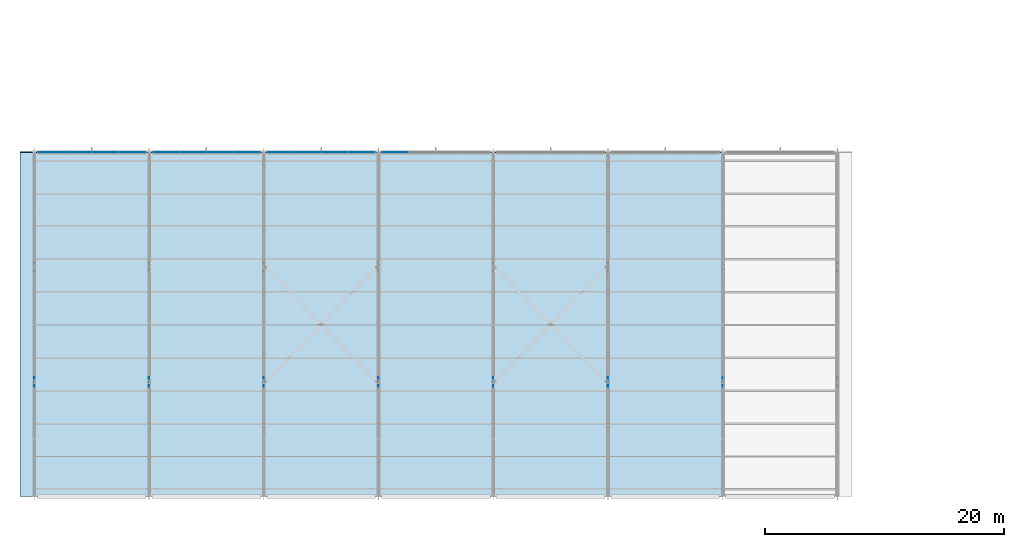
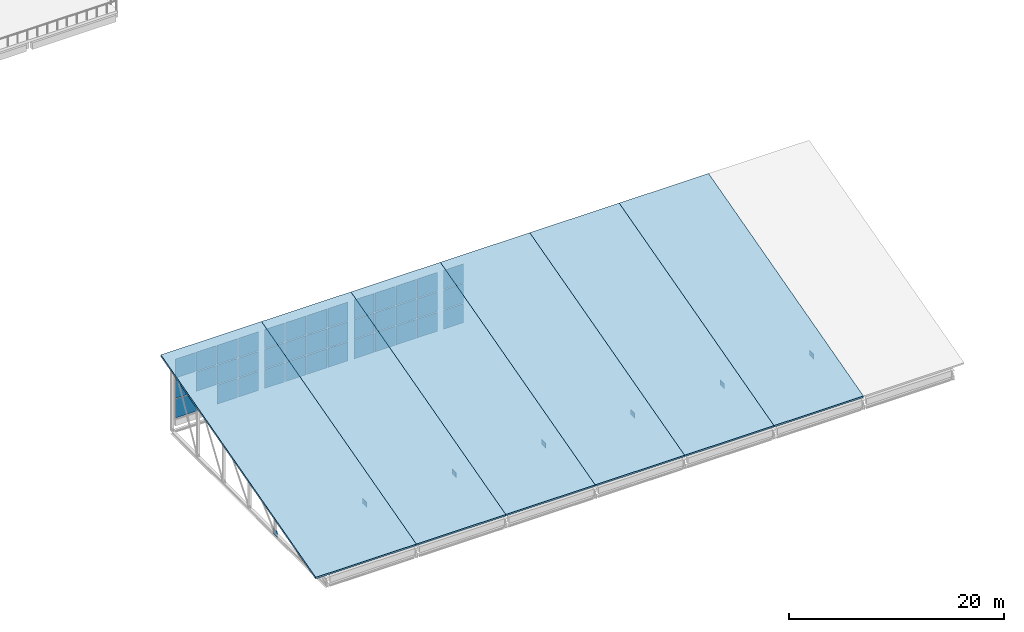
# One storey, part 27 of 57: 46 plates, 6 slabs, 4 elements without a shape of their own.
"""IFC4 building model written with IfcOpenShell, lengths in metres."""

import ifcopenshell
import ifcopenshell.guid

model = None  # the IFC model being written
_history = None  # IfcOwnerHistory: only IFC2X3 demands one
_inside = {}  # id of a spatial element -> (the spatial element, [elements in it])
_under = {}  # id of a project, library or spatial element -> (it, [spatial elements below it])
_declared = {}  # id of a project -> (the project, [libraries it declares])
_typed = {}  # id of a type object -> (the type object, [elements of that type])
_made_of = {}  # id of a material, layer set ... -> (it, [elements and type objects made of it])


def new_model(schema):
    """Start an empty IFC model of exactly this schema.

    Asked for "IFC4X3", IfcOpenShell would pick the latest addendum, in which some entities
    have other attributes; the version numbers below select the first issue.
    IFC2X3 requires an IfcOwnerHistory on every rooted entity: one is made here for all.
    """
    global model, _history
    if schema == "IFC4X3":
        model = ifcopenshell.file(schema_version=(4, 3, 0, 0))
    else:
        model = ifcopenshell.file(schema=schema)
    _inside.clear()
    _under.clear()
    _declared.clear()
    _typed.clear()
    _made_of.clear()
    _history = None
    if model.schema == "IFC2X3":
        org = make("IfcOrganization", Name="unknown")
        user = make(
            "IfcPersonAndOrganization",
            ThePerson=make("IfcPerson", FamilyName="unknown"),
            TheOrganization=org,
        )
        app = make(
            "IfcApplication",
            ApplicationDeveloper=org,
            Version="unknown",
            ApplicationFullName="unknown",
            ApplicationIdentifier="unknown",
        )
        _history = make(
            "IfcOwnerHistory",
            OwningUser=user,
            OwningApplication=app,
            ChangeAction="ADDED",
            CreationDate=0,
        )
    return model


def make(cls, **values):
    """One entity of the class cls with the attributes given. An attribute that is None is left unset."""
    return model.create_entity(
        cls, **{name: value for name, value in values.items() if value is not None}
    )


def rooted(cls, **values):
    """An entity with a GlobalId (a new one), such as an element, a storey or a relation."""
    return make(cls, GlobalId=ifcopenshell.guid.new(), OwnerHistory=_history, **values)


def si_unit(unit_type, name, prefix=None):
    """IfcSIUnit, for example si_unit("LENGTHUNIT", "METRE", prefix="MILLI")."""
    return make("IfcSIUnit", UnitType=unit_type, Prefix=prefix, Name=name)


def assignment(units):
    """IfcUnitAssignment: the units of a project."""
    return None if units is None else make("IfcUnitAssignment", Units=units)


def point(xyz):
    """IfcCartesianPoint."""
    return None if xyz is None else make("IfcCartesianPoint", Coordinates=xyz)


def direction(xyz):
    """IfcDirection."""
    return None if xyz is None else make("IfcDirection", DirectionRatios=xyz)


def frame(location, z_axis=None, x_axis=None):
    """IfcAxis2Placement3D, a coordinate frame: its origin and axes. An axis left out is left unset."""
    return make(
        "IfcAxis2Placement3D",
        Location=point(location),
        Axis=direction(z_axis),
        RefDirection=direction(x_axis),
    )


def frame_2d(location, x_axis=None):
    """IfcAxis2Placement2D, a coordinate frame in the plane: its origin and x axis."""
    return make(
        "IfcAxis2Placement2D", Location=point(location), RefDirection=direction(x_axis)
    )


def origin():
    """The frame at (0, 0, 0) with its axes left unset."""
    return frame((0.0, 0.0, 0.0))


def origin_2d():
    """The frame at (0, 0) in the plane with its x axis left unset."""
    return frame_2d((0.0, 0.0))


def place(relative_to, where):
    """IfcLocalPlacement: puts the frame where relative to a parent placement (None: the world)."""
    return make(
        "IfcLocalPlacement", PlacementRelTo=relative_to, RelativePlacement=where
    )


def context(
    kind, dimensions, precision=None, world=None, true_north=None, identifier=None
):
    """IfcGeometricRepresentationContext, for example the 3D "Model" context."""
    return make(
        "IfcGeometricRepresentationContext",
        ContextIdentifier=identifier,
        ContextType=kind,
        CoordinateSpaceDimension=dimensions,
        Precision=precision,
        WorldCoordinateSystem=world,
        TrueNorth=true_north,
    )


def subcontext(parent, identifier, kind, view, scale=None):
    """IfcGeometricRepresentationSubContext, for example "Body" below "Model"."""
    return make(
        "IfcGeometricRepresentationSubContext",
        ContextIdentifier=identifier,
        ContextType=kind,
        ParentContext=parent,
        TargetScale=scale,
        TargetView=view,
    )


def project(units=None, contexts=None):
    """IfcProject with its units and contexts."""
    return rooted(
        "IfcProject",
        Name="project",
        RepresentationContexts=contexts,
        UnitsInContext=assignment(units),
    )


def spatial(cls, under=None, at=None, **own):
    """A site, building, storey or space (cls), placed at a placement, below another one or the project."""
    s = rooted(cls, ObjectPlacement=at, **own)
    if under is not None:
        _under.setdefault(under.id(), (under, []))[1].append(s)
    return s


def polyline(points):
    """IfcPolyline through the points."""
    return make("IfcPolyline", Points=[point(p) for p in points])


def profile(cls, at=None, kind="AREA", **sizes):
    """A parametric profile (cls). Its sizes go by their IFC names, for example OverallWidth=200.0."""
    return make(cls, ProfileType=kind, Position=at, **sizes)


def rectangle(**sizes):
    """IfcRectangleProfileDef."""
    return profile("IfcRectangleProfileDef", **sizes)


def outline(outer, holes=None, kind="AREA"):
    """IfcArbitraryClosedProfileDef: a profile drawn as a closed curve; with holes, ...WithVoids."""
    if holes is None:
        return make("IfcArbitraryClosedProfileDef", ProfileType=kind, OuterCurve=outer)
    return make(
        "IfcArbitraryProfileDefWithVoids",
        ProfileType=kind,
        OuterCurve=outer,
        InnerCurves=holes,
    )


def extrude(swept, where, along, depth):
    """IfcExtrudedAreaSolid: the profile swept, set in the frame where, extruded along a direction by depth."""
    return make(
        "IfcExtrudedAreaSolid",
        SweptArea=swept,
        Position=where,
        ExtrudedDirection=direction(along),
        Depth=depth,
    )


def shape(context_of_items, identifier, shape_type, items):
    """IfcShapeRepresentation: the items that make up one representation, for example the "Body"."""
    return make(
        "IfcShapeRepresentation",
        ContextOfItems=context_of_items,
        RepresentationIdentifier=identifier,
        RepresentationType=shape_type,
        Items=items,
    )


def material(Name=None, Category=None):
    """IfcMaterial."""
    return make("IfcMaterial", Name=Name, Category=Category)


def layer(
    of_material, thickness, ventilated=None, Name=None, Category=None, Priority=None
):
    """IfcMaterialLayer: one layer of a wall or slab, of a material (None: an air gap)."""
    return make(
        "IfcMaterialLayer",
        Material=of_material,
        LayerThickness=thickness,
        IsVentilated=ventilated,
        Name=Name,
        Category=Category,
        Priority=Priority,
    )


def layer_set(layers, Name=None):
    """IfcMaterialLayerSet."""
    return make("IfcMaterialLayerSet", MaterialLayers=layers, LayerSetName=Name)


def made_of(thing, what):
    """Note that an element or type object is made of a material, layer set ...; save() writes the relation."""
    if what is not None:
        _made_of.setdefault(what.id(), (what, []))[1].append(thing)
    return thing


def type_object(cls, material=None, **own):
    """A type object (cls), such as IfcWallType, which elements share."""
    return made_of(rooted(cls, **own), material)


def element(
    cls,
    number,
    at=None,
    inside=None,
    cuts=None,
    type_object=None,
    material=None,
    context=None,
    identifier="Body",
    shape_type=None,
    held_by="IfcProductDefinitionShape",
    body=None,
    shapes=None,
    **own,
):
    """One element of the class cls, such as IfcWall. Its Tag is "e" and its number.

    at: its placement. inside: the storey or other place that contains it. cuts: it is an
    opening in that element (IfcRelVoidsElement). A single representation is given by context,
    identifier, shape_type and body (its items); several are given by shapes. held_by: the class
    of the entity that holds the representations. save() writes the other relations.
    """
    e = rooted(cls, Tag="e%d" % number, ObjectPlacement=at, **own)
    if body is not None:
        shapes = [shape(context, identifier, shape_type, body)]
    if shapes is not None:
        e.Representation = make(held_by, Representations=shapes)
    if inside is not None:
        _inside.setdefault(inside.id(), (inside, []))[1].append(e)
    if cuts is not None:
        rooted(
            "IfcRelVoidsElement", RelatingBuildingElement=cuts, RelatedOpeningElement=e
        )
    if type_object is not None:
        _typed.setdefault(type_object.id(), (type_object, []))[1].append(e)
    return made_of(e, material)


def aggregate(whole, parts):
    """IfcRelAggregates: a whole, such as a stair, and the parts it consists of."""
    return rooted("IfcRelAggregates", RelatingObject=whole, RelatedObjects=parts)


def save(model, path):
    """Write the relations noted so far, then the file.

    IfcRelAggregates (storeys below a building ...), IfcRelContainedInSpatialStructure (elements
    in a storey), IfcRelDefinesByType, IfcRelAssociatesMaterial and IfcRelDeclares: one each for
    every whole, place, type object, material and project.
    """
    for whole, parts in _under.values():
        aggregate(whole, parts)
    for where, things in _inside.values():
        rooted(
            "IfcRelContainedInSpatialStructure",
            RelatedElements=things,
            RelatingStructure=where,
        )
    for kind, things in _typed.values():
        rooted("IfcRelDefinesByType", RelatedObjects=things, RelatingType=kind)
    for what, things in _made_of.values():
        rooted("IfcRelAssociatesMaterial", RelatedObjects=things, RelatingMaterial=what)
    for by, libraries in _declared.values():
        rooted("IfcRelDeclares", RelatingContext=by, RelatedDefinitions=libraries)
    model.write(path)


model = new_model("IFC4")

# Units and contexts
model_context = context("Model", 3, precision=1e-05, world=origin(), true_north=direction((0.0, 1.0)))
body_context = subcontext(model_context, "Body", "Model", "MODEL_VIEW")
ifc_project = project(units=[si_unit("LENGTHUNIT", "METRE"), si_unit("AREAUNIT", "SQUARE_METRE"), si_unit("VOLUMEUNIT", "CUBIC_METRE"), si_unit("PLANEANGLEUNIT", "RADIAN"), si_unit("MASSUNIT", "GRAM", prefix="KILO")], contexts=[model_context])

# Site, building, storey
site_placement = place(None, origin())
site = spatial("IfcSite", under=ifc_project, at=site_placement, CompositionType="ELEMENT")
building_placement = place(site_placement, origin())
building = spatial("IfcBuilding", under=site, at=building_placement, Name="Shalvenor Court Art Gallery", CompositionType="ELEMENT")
storey_placement = place(building_placement, frame((0.0, 0.0, 16.800048828125)))
storey = spatial("IfcBuildingStorey", under=building, at=storey_placement, Name="L03", CompositionType="ELEMENT", Elevation=16.800048828125)

# Curtain wall, plates
ifc_material_1 = material(Name="Anodised aluminium and low-iron glass curtain wall", Category="aluminium")
curtain_wall_type = type_object("IfcCurtainWallType", Name="CW-NL-V4", PredefinedType="USERDEFINED", material=ifc_material_1)
curtain_wall_1_placement = place(storey_placement, origin())
curtain_wall_1 = element("IfcCurtainWall", 1, at=curtain_wall_1_placement, inside=storey, type_object=curtain_wall_type, Name="L03 V4 North Light Clerestory 1", ObjectType="CURTAIN WALL", PredefinedType="USERDEFINED")
ifc_material_2 = material(Name="Diffused north-light acid-etched museum glazing IGU", Category="glass")
ifc_layer_1 = layer(ifc_material_2, 0.02392578125, Name="Diffused north-light acid-etched museum glazing IGU")
ifc_layer_set_1 = layer_set([ifc_layer_1], Name="Diffused north-light acid-etched museum glazing IGU")
plate_type_1 = type_object("IfcPlateType", Name="CWP-04", PredefinedType="CURTAIN_PANEL", material=ifc_layer_set_1)
plate_1_placement = place(storey_placement, frame((1.407470703125, 28.800048828125, 0.074951171875), z_axis=(0.0, 0.0, 1.0), x_axis=(1.0, 0.0, 0.0)))
plate_1 = element("IfcPlate", 2, at=plate_1_placement, type_object=plate_type_1, Name="CW-NL-V4 panel 1.1", PredefinedType="CURTAIN_PANEL", context=body_context, shape_type="SweptSolid", body=[
    extrude(rectangle(XDim=2.155029296875, YDim=0.02392578125, at=origin_2d()), origin(), (0.0, 0.0, 1.0), 2.1708984375),
])
plate_2_placement = place(storey_placement, frame((1.407470703125, 28.800048828125, 2.32080078125), z_axis=(0.0, 0.0, 1.0), x_axis=(1.0, 0.0, 0.0)))
plate_2 = element("IfcPlate", 3, at=plate_2_placement, type_object=plate_type_1, Name="CW-NL-V4 panel 1.2", PredefinedType="CURTAIN_PANEL", context=body_context, shape_type="SweptSolid", body=[
    extrude(rectangle(XDim=2.155029296875, YDim=0.02392578125, at=origin_2d()), origin(), (0.0, 0.0, 1.0), 2.208251953125),
])
plate_3_placement = place(storey_placement, frame((1.407470703125, 28.800048828125, 4.60400390625), z_axis=(0.0, 0.0, 1.0), x_axis=(1.0, 0.0, 0.0)))
plate_3 = element("IfcPlate", 4, at=plate_3_placement, type_object=plate_type_1, Name="CW-NL-V4 panel 1.3", PredefinedType="CURTAIN_PANEL", context=body_context, shape_type="SweptSolid", body=[
    extrude(rectangle(XDim=2.155029296875, YDim=0.02392578125, at=origin_2d()), origin(), (0.0, 0.0, 1.0), 2.1708984375),
])
plate_4_placement = place(storey_placement, frame((3.66259765625, 28.800048828125, 0.074951171875), z_axis=(0.0, 0.0, 1.0), x_axis=(1.0, 0.0, 0.0)))
plate_4 = element("IfcPlate", 5, at=plate_4_placement, type_object=plate_type_1, Name="CW-NL-V4 panel 2.1", PredefinedType="CURTAIN_PANEL", context=body_context, shape_type="SweptSolid", body=[
    extrude(rectangle(XDim=2.195068359375, YDim=0.02392578125, at=origin_2d()), origin(), (0.0, 0.0, 1.0), 2.1708984375),
])
plate_5_placement = place(storey_placement, frame((3.66259765625, 28.800048828125, 2.32080078125), z_axis=(0.0, 0.0, 1.0), x_axis=(1.0, 0.0, 0.0)))
plate_5 = element("IfcPlate", 6, at=plate_5_placement, type_object=plate_type_1, Name="CW-NL-V4 panel 2.2", PredefinedType="CURTAIN_PANEL", context=body_context, shape_type="SweptSolid", body=[
    extrude(rectangle(XDim=2.195068359375, YDim=0.02392578125, at=origin_2d()), origin(), (0.0, 0.0, 1.0), 2.208251953125),
])
plate_6_placement = place(storey_placement, frame((3.66259765625, 28.800048828125, 4.60400390625), z_axis=(0.0, 0.0, 1.0), x_axis=(1.0, 0.0, 0.0)))
plate_6 = element("IfcPlate", 7, at=plate_6_placement, type_object=plate_type_1, Name="CW-NL-V4 panel 2.3", PredefinedType="CURTAIN_PANEL", context=body_context, shape_type="SweptSolid", body=[
    extrude(rectangle(XDim=2.195068359375, YDim=0.02392578125, at=origin_2d()), origin(), (0.0, 0.0, 1.0), 2.1708984375),
])
plate_7_placement = place(storey_placement, frame((5.9375, 28.800048828125, 0.074951171875), z_axis=(0.0, 0.0, 1.0), x_axis=(1.0, 0.0, 0.0)))
plate_7 = element("IfcPlate", 8, at=plate_7_placement, type_object=plate_type_1, Name="CW-NL-V4 panel 3.1", PredefinedType="CURTAIN_PANEL", context=body_context, shape_type="SweptSolid", body=[
    extrude(rectangle(XDim=2.195068359375, YDim=0.02392578125, at=origin_2d()), origin(), (0.0, 0.0, 1.0), 2.1708984375),
])
plate_8_placement = place(storey_placement, frame((5.9375, 28.800048828125, 2.32080078125), z_axis=(0.0, 0.0, 1.0), x_axis=(1.0, 0.0, 0.0)))
plate_8 = element("IfcPlate", 9, at=plate_8_placement, type_object=plate_type_1, Name="CW-NL-V4 panel 3.2", PredefinedType="CURTAIN_PANEL", context=body_context, shape_type="SweptSolid", body=[
    extrude(rectangle(XDim=2.195068359375, YDim=0.02392578125, at=origin_2d()), origin(), (0.0, 0.0, 1.0), 2.208251953125),
])
plate_9_placement = place(storey_placement, frame((5.9375, 28.800048828125, 4.60400390625), z_axis=(0.0, 0.0, 1.0), x_axis=(1.0, 0.0, 0.0)))
plate_9 = element("IfcPlate", 10, at=plate_9_placement, type_object=plate_type_1, Name="CW-NL-V4 panel 3.3", PredefinedType="CURTAIN_PANEL", context=body_context, shape_type="SweptSolid", body=[
    extrude(rectangle(XDim=2.195068359375, YDim=0.02392578125, at=origin_2d()), origin(), (0.0, 0.0, 1.0), 2.1708984375),
])
plate_10_placement = place(storey_placement, frame((8.1923828125, 28.800048828125, 0.074951171875), z_axis=(0.0, 0.0, 1.0), x_axis=(1.0, 0.0, 0.0)))
plate_10 = element("IfcPlate", 11, at=plate_10_placement, type_object=plate_type_1, Name="CW-NL-V4 panel 4.1", PredefinedType="CURTAIN_PANEL", context=body_context, shape_type="SweptSolid", body=[
    extrude(rectangle(XDim=2.155029296875, YDim=0.02392578125, at=origin_2d()), origin(), (0.0, 0.0, 1.0), 2.1708984375),
])
plate_11_placement = place(storey_placement, frame((8.1923828125, 28.800048828125, 2.32080078125), z_axis=(0.0, 0.0, 1.0), x_axis=(1.0, 0.0, 0.0)))
plate_11 = element("IfcPlate", 12, at=plate_11_placement, type_object=plate_type_1, Name="CW-NL-V4 panel 4.2", PredefinedType="CURTAIN_PANEL", context=body_context, shape_type="SweptSolid", body=[
    extrude(rectangle(XDim=2.155029296875, YDim=0.02392578125, at=origin_2d()), origin(), (0.0, 0.0, 1.0), 2.208251953125),
])
plate_12_placement = place(storey_placement, frame((8.1923828125, 28.800048828125, 4.60400390625), z_axis=(0.0, 0.0, 1.0), x_axis=(1.0, 0.0, 0.0)))
plate_12 = element("IfcPlate", 13, at=plate_12_placement, type_object=plate_type_1, Name="CW-NL-V4 panel 4.3", PredefinedType="CURTAIN_PANEL", context=body_context, shape_type="SweptSolid", body=[
    extrude(rectangle(XDim=2.155029296875, YDim=0.02392578125, at=origin_2d()), origin(), (0.0, 0.0, 1.0), 2.1708984375),
])
aggregate(curtain_wall_1, [plate_1, plate_2, plate_3, plate_4, plate_5, plate_6, plate_7, plate_8, plate_9, plate_10, plate_11, plate_12])

curtain_wall_2_placement = place(storey_placement, origin())
curtain_wall_2 = element("IfcCurtainWall", 14, at=curtain_wall_2_placement, inside=storey, type_object=curtain_wall_type, Name="L03 V4 North Light Clerestory 2", ObjectType="CURTAIN WALL", PredefinedType="USERDEFINED")
plate_13_placement = place(storey_placement, frame((11.007568359375, 28.800048828125, 0.074951171875), z_axis=(0.0, 0.0, 1.0), x_axis=(1.0, 0.0, 0.0)))
plate_13 = element("IfcPlate", 15, at=plate_13_placement, type_object=plate_type_1, Name="CW-NL-V4 panel 1.1", PredefinedType="CURTAIN_PANEL", context=body_context, shape_type="SweptSolid", body=[
    extrude(rectangle(XDim=2.155029296875, YDim=0.02392578125, at=origin_2d()), origin(), (0.0, 0.0, 1.0), 2.1708984375),
])
plate_14_placement = place(storey_placement, frame((11.007568359375, 28.800048828125, 2.32080078125), z_axis=(0.0, 0.0, 1.0), x_axis=(1.0, 0.0, 0.0)))
plate_14 = element("IfcPlate", 16, at=plate_14_placement, type_object=plate_type_1, Name="CW-NL-V4 panel 1.2", PredefinedType="CURTAIN_PANEL", context=body_context, shape_type="SweptSolid", body=[
    extrude(rectangle(XDim=2.155029296875, YDim=0.02392578125, at=origin_2d()), origin(), (0.0, 0.0, 1.0), 2.208251953125),
])
plate_15_placement = place(storey_placement, frame((11.007568359375, 28.800048828125, 4.60400390625), z_axis=(0.0, 0.0, 1.0), x_axis=(1.0, 0.0, 0.0)))
plate_15 = element("IfcPlate", 17, at=plate_15_placement, type_object=plate_type_1, Name="CW-NL-V4 panel 1.3", PredefinedType="CURTAIN_PANEL", context=body_context, shape_type="SweptSolid", body=[
    extrude(rectangle(XDim=2.155029296875, YDim=0.02392578125, at=origin_2d()), origin(), (0.0, 0.0, 1.0), 2.1708984375),
])
plate_16_placement = place(storey_placement, frame((13.262451171875, 28.800048828125, 0.074951171875), z_axis=(0.0, 0.0, 1.0), x_axis=(1.0, 0.0, 0.0)))
plate_16 = element("IfcPlate", 18, at=plate_16_placement, type_object=plate_type_1, Name="CW-NL-V4 panel 2.1", PredefinedType="CURTAIN_PANEL", context=body_context, shape_type="SweptSolid", body=[
    extrude(rectangle(XDim=2.195068359375, YDim=0.02392578125, at=origin_2d()), origin(), (0.0, 0.0, 1.0), 2.1708984375),
])
plate_17_placement = place(storey_placement, frame((13.262451171875, 28.800048828125, 2.32080078125), z_axis=(0.0, 0.0, 1.0), x_axis=(1.0, 0.0, 0.0)))
plate_17 = element("IfcPlate", 19, at=plate_17_placement, type_object=plate_type_1, Name="CW-NL-V4 panel 2.2", PredefinedType="CURTAIN_PANEL", context=body_context, shape_type="SweptSolid", body=[
    extrude(rectangle(XDim=2.195068359375, YDim=0.02392578125, at=origin_2d()), origin(), (0.0, 0.0, 1.0), 2.208251953125),
])
plate_18_placement = place(storey_placement, frame((13.262451171875, 28.800048828125, 4.60400390625), z_axis=(0.0, 0.0, 1.0), x_axis=(1.0, 0.0, 0.0)))
plate_18 = element("IfcPlate", 20, at=plate_18_placement, type_object=plate_type_1, Name="CW-NL-V4 panel 2.3", PredefinedType="CURTAIN_PANEL", context=body_context, shape_type="SweptSolid", body=[
    extrude(rectangle(XDim=2.195068359375, YDim=0.02392578125, at=origin_2d()), origin(), (0.0, 0.0, 1.0), 2.1708984375),
])
plate_19_placement = place(storey_placement, frame((15.53759765625, 28.800048828125, 0.074951171875), z_axis=(0.0, 0.0, 1.0), x_axis=(1.0, 0.0, 0.0)))
plate_19 = element("IfcPlate", 21, at=plate_19_placement, type_object=plate_type_1, Name="CW-NL-V4 panel 3.1", PredefinedType="CURTAIN_PANEL", context=body_context, shape_type="SweptSolid", body=[
    extrude(rectangle(XDim=2.195068359375, YDim=0.02392578125, at=origin_2d()), origin(), (0.0, 0.0, 1.0), 2.1708984375),
])
plate_20_placement = place(storey_placement, frame((15.53759765625, 28.800048828125, 2.32080078125), z_axis=(0.0, 0.0, 1.0), x_axis=(1.0, 0.0, 0.0)))
plate_20 = element("IfcPlate", 22, at=plate_20_placement, type_object=plate_type_1, Name="CW-NL-V4 panel 3.2", PredefinedType="CURTAIN_PANEL", context=body_context, shape_type="SweptSolid", body=[
    extrude(rectangle(XDim=2.195068359375, YDim=0.02392578125, at=origin_2d()), origin(), (0.0, 0.0, 1.0), 2.208251953125),
])
plate_21_placement = place(storey_placement, frame((15.53759765625, 28.800048828125, 4.60400390625), z_axis=(0.0, 0.0, 1.0), x_axis=(1.0, 0.0, 0.0)))
plate_21 = element("IfcPlate", 23, at=plate_21_placement, type_object=plate_type_1, Name="CW-NL-V4 panel 3.3", PredefinedType="CURTAIN_PANEL", context=body_context, shape_type="SweptSolid", body=[
    extrude(rectangle(XDim=2.195068359375, YDim=0.02392578125, at=origin_2d()), origin(), (0.0, 0.0, 1.0), 2.1708984375),
])
plate_22_placement = place(storey_placement, frame((17.79248046875, 28.800048828125, 0.074951171875), z_axis=(0.0, 0.0, 1.0), x_axis=(1.0, 0.0, 0.0)))
plate_22 = element("IfcPlate", 24, at=plate_22_placement, type_object=plate_type_1, Name="CW-NL-V4 panel 4.1", PredefinedType="CURTAIN_PANEL", context=body_context, shape_type="SweptSolid", body=[
    extrude(rectangle(XDim=2.155029296875, YDim=0.02392578125, at=origin_2d()), origin(), (0.0, 0.0, 1.0), 2.1708984375),
])
plate_23_placement = place(storey_placement, frame((17.79248046875, 28.800048828125, 2.32080078125), z_axis=(0.0, 0.0, 1.0), x_axis=(1.0, 0.0, 0.0)))
plate_23 = element("IfcPlate", 25, at=plate_23_placement, type_object=plate_type_1, Name="CW-NL-V4 panel 4.2", PredefinedType="CURTAIN_PANEL", context=body_context, shape_type="SweptSolid", body=[
    extrude(rectangle(XDim=2.155029296875, YDim=0.02392578125, at=origin_2d()), origin(), (0.0, 0.0, 1.0), 2.208251953125),
])
plate_24_placement = place(storey_placement, frame((17.79248046875, 28.800048828125, 4.60400390625), z_axis=(0.0, 0.0, 1.0), x_axis=(1.0, 0.0, 0.0)))
plate_24 = element("IfcPlate", 26, at=plate_24_placement, type_object=plate_type_1, Name="CW-NL-V4 panel 4.3", PredefinedType="CURTAIN_PANEL", context=body_context, shape_type="SweptSolid", body=[
    extrude(rectangle(XDim=2.155029296875, YDim=0.02392578125, at=origin_2d()), origin(), (0.0, 0.0, 1.0), 2.1708984375),
])
aggregate(curtain_wall_2, [plate_13, plate_14, plate_15, plate_16, plate_17, plate_18, plate_19, plate_20, plate_21, plate_22, plate_23, plate_24])

curtain_wall_3_placement = place(storey_placement, origin())
curtain_wall_3 = element("IfcCurtainWall", 27, at=curtain_wall_3_placement, inside=storey, type_object=curtain_wall_type, Name="L03 V4 North Light Clerestory 3", ObjectType="CURTAIN WALL", PredefinedType="USERDEFINED")
plate_25_placement = place(storey_placement, frame((20.607421875, 28.800048828125, 0.074951171875), z_axis=(0.0, 0.0, 1.0), x_axis=(1.0, 0.0, 0.0)))
plate_25 = element("IfcPlate", 28, at=plate_25_placement, type_object=plate_type_1, Name="CW-NL-V4 panel 1.1", PredefinedType="CURTAIN_PANEL", context=body_context, shape_type="SweptSolid", body=[
    extrude(rectangle(XDim=2.155029296875, YDim=0.02392578125, at=origin_2d()), origin(), (0.0, 0.0, 1.0), 2.1708984375),
])
plate_26_placement = place(storey_placement, frame((20.607421875, 28.800048828125, 2.32080078125), z_axis=(0.0, 0.0, 1.0), x_axis=(1.0, 0.0, 0.0)))
plate_26 = element("IfcPlate", 29, at=plate_26_placement, type_object=plate_type_1, Name="CW-NL-V4 panel 1.2", PredefinedType="CURTAIN_PANEL", context=body_context, shape_type="SweptSolid", body=[
    extrude(rectangle(XDim=2.155029296875, YDim=0.02392578125, at=origin_2d()), origin(), (0.0, 0.0, 1.0), 2.208251953125),
])
plate_27_placement = place(storey_placement, frame((20.607421875, 28.800048828125, 4.60400390625), z_axis=(0.0, 0.0, 1.0), x_axis=(1.0, 0.0, 0.0)))
plate_27 = element("IfcPlate", 30, at=plate_27_placement, type_object=plate_type_1, Name="CW-NL-V4 panel 1.3", PredefinedType="CURTAIN_PANEL", context=body_context, shape_type="SweptSolid", body=[
    extrude(rectangle(XDim=2.155029296875, YDim=0.02392578125, at=origin_2d()), origin(), (0.0, 0.0, 1.0), 2.1708984375),
])
plate_28_placement = place(storey_placement, frame((22.862548828125, 28.800048828125, 0.074951171875), z_axis=(0.0, 0.0, 1.0), x_axis=(1.0, 0.0, 0.0)))
plate_28 = element("IfcPlate", 31, at=plate_28_placement, type_object=plate_type_1, Name="CW-NL-V4 panel 2.1", PredefinedType="CURTAIN_PANEL", context=body_context, shape_type="SweptSolid", body=[
    extrude(rectangle(XDim=2.195068359375, YDim=0.02392578125, at=origin_2d()), origin(), (0.0, 0.0, 1.0), 2.1708984375),
])
plate_29_placement = place(storey_placement, frame((22.862548828125, 28.800048828125, 2.32080078125), z_axis=(0.0, 0.0, 1.0), x_axis=(1.0, 0.0, 0.0)))
plate_29 = element("IfcPlate", 32, at=plate_29_placement, type_object=plate_type_1, Name="CW-NL-V4 panel 2.2", PredefinedType="CURTAIN_PANEL", context=body_context, shape_type="SweptSolid", body=[
    extrude(rectangle(XDim=2.195068359375, YDim=0.02392578125, at=origin_2d()), origin(), (0.0, 0.0, 1.0), 2.208251953125),
])
plate_30_placement = place(storey_placement, frame((22.862548828125, 28.800048828125, 4.60400390625), z_axis=(0.0, 0.0, 1.0), x_axis=(1.0, 0.0, 0.0)))
plate_30 = element("IfcPlate", 33, at=plate_30_placement, type_object=plate_type_1, Name="CW-NL-V4 panel 2.3", PredefinedType="CURTAIN_PANEL", context=body_context, shape_type="SweptSolid", body=[
    extrude(rectangle(XDim=2.195068359375, YDim=0.02392578125, at=origin_2d()), origin(), (0.0, 0.0, 1.0), 2.1708984375),
])
plate_31_placement = place(storey_placement, frame((25.137451171875, 28.800048828125, 0.074951171875), z_axis=(0.0, 0.0, 1.0), x_axis=(1.0, 0.0, 0.0)))
plate_31 = element("IfcPlate", 34, at=plate_31_placement, type_object=plate_type_1, Name="CW-NL-V4 panel 3.1", PredefinedType="CURTAIN_PANEL", context=body_context, shape_type="SweptSolid", body=[
    extrude(rectangle(XDim=2.195068359375, YDim=0.02392578125, at=origin_2d()), origin(), (0.0, 0.0, 1.0), 2.1708984375),
])
plate_32_placement = place(storey_placement, frame((25.137451171875, 28.800048828125, 2.32080078125), z_axis=(0.0, 0.0, 1.0), x_axis=(1.0, 0.0, 0.0)))
plate_32 = element("IfcPlate", 35, at=plate_32_placement, type_object=plate_type_1, Name="CW-NL-V4 panel 3.2", PredefinedType="CURTAIN_PANEL", context=body_context, shape_type="SweptSolid", body=[
    extrude(rectangle(XDim=2.195068359375, YDim=0.02392578125, at=origin_2d()), origin(), (0.0, 0.0, 1.0), 2.208251953125),
])
plate_33_placement = place(storey_placement, frame((25.137451171875, 28.800048828125, 4.60400390625), z_axis=(0.0, 0.0, 1.0), x_axis=(1.0, 0.0, 0.0)))
plate_33 = element("IfcPlate", 36, at=plate_33_placement, type_object=plate_type_1, Name="CW-NL-V4 panel 3.3", PredefinedType="CURTAIN_PANEL", context=body_context, shape_type="SweptSolid", body=[
    extrude(rectangle(XDim=2.195068359375, YDim=0.02392578125, at=origin_2d()), origin(), (0.0, 0.0, 1.0), 2.1708984375),
])
plate_34_placement = place(storey_placement, frame((27.392578125, 28.800048828125, 0.074951171875), z_axis=(0.0, 0.0, 1.0), x_axis=(1.0, 0.0, 0.0)))
plate_34 = element("IfcPlate", 37, at=plate_34_placement, type_object=plate_type_1, Name="CW-NL-V4 panel 4.1", PredefinedType="CURTAIN_PANEL", context=body_context, shape_type="SweptSolid", body=[
    extrude(rectangle(XDim=2.155029296875, YDim=0.02392578125, at=origin_2d()), origin(), (0.0, 0.0, 1.0), 2.1708984375),
])
plate_35_placement = place(storey_placement, frame((27.392578125, 28.800048828125, 2.32080078125), z_axis=(0.0, 0.0, 1.0), x_axis=(1.0, 0.0, 0.0)))
plate_35 = element("IfcPlate", 38, at=plate_35_placement, type_object=plate_type_1, Name="CW-NL-V4 panel 4.2", PredefinedType="CURTAIN_PANEL", context=body_context, shape_type="SweptSolid", body=[
    extrude(rectangle(XDim=2.155029296875, YDim=0.02392578125, at=origin_2d()), origin(), (0.0, 0.0, 1.0), 2.208251953125),
])
plate_36_placement = place(storey_placement, frame((27.392578125, 28.800048828125, 4.60400390625), z_axis=(0.0, 0.0, 1.0), x_axis=(1.0, 0.0, 0.0)))
plate_36 = element("IfcPlate", 39, at=plate_36_placement, type_object=plate_type_1, Name="CW-NL-V4 panel 4.3", PredefinedType="CURTAIN_PANEL", context=body_context, shape_type="SweptSolid", body=[
    extrude(rectangle(XDim=2.155029296875, YDim=0.02392578125, at=origin_2d()), origin(), (0.0, 0.0, 1.0), 2.1708984375),
])
aggregate(curtain_wall_3, [plate_25, plate_26, plate_27, plate_28, plate_29, plate_30, plate_31, plate_32, plate_33, plate_34, plate_35, plate_36])

curtain_wall_4_placement = place(storey_placement, origin())
curtain_wall_4 = element("IfcCurtainWall", 40, at=curtain_wall_4_placement, inside=storey, type_object=curtain_wall_type, Name="L03 V4 North Light Clerestory 4", ObjectType="CURTAIN WALL", PredefinedType="USERDEFINED")
plate_37_placement = place(storey_placement, frame((30.20751953125, 28.800048828125, 0.074951171875), z_axis=(0.0, 0.0, 1.0), x_axis=(1.0, 0.0, 0.0)))
plate_37 = element("IfcPlate", 41, at=plate_37_placement, type_object=plate_type_1, Name="CW-NL-V4 panel 1.1", PredefinedType="CURTAIN_PANEL", context=body_context, shape_type="SweptSolid", body=[
    extrude(rectangle(XDim=2.155029296875, YDim=0.02392578125, at=origin_2d()), origin(), (0.0, 0.0, 1.0), 2.1708984375),
])
plate_38_placement = place(storey_placement, frame((30.20751953125, 28.800048828125, 2.32080078125), z_axis=(0.0, 0.0, 1.0), x_axis=(1.0, 0.0, 0.0)))
plate_38 = element("IfcPlate", 42, at=plate_38_placement, type_object=plate_type_1, Name="CW-NL-V4 panel 1.2", PredefinedType="CURTAIN_PANEL", context=body_context, shape_type="SweptSolid", body=[
    extrude(rectangle(XDim=2.155029296875, YDim=0.02392578125, at=origin_2d()), origin(), (0.0, 0.0, 1.0), 2.208251953125),
])
plate_39_placement = place(storey_placement, frame((30.20751953125, 28.800048828125, 4.60400390625), z_axis=(0.0, 0.0, 1.0), x_axis=(1.0, 0.0, 0.0)))
plate_39 = element("IfcPlate", 43, at=plate_39_placement, type_object=plate_type_1, Name="CW-NL-V4 panel 1.3", PredefinedType="CURTAIN_PANEL", context=body_context, shape_type="SweptSolid", body=[
    extrude(rectangle(XDim=2.155029296875, YDim=0.02392578125, at=origin_2d()), origin(), (0.0, 0.0, 1.0), 2.1708984375),
])
aggregate(curtain_wall_4, [plate_37, plate_38, plate_39])

# Plates
ifc_material_3 = material(Name="Steel S355", Category="steel")
ifc_layer_2 = layer(ifc_material_3, 0.02587890625, Name="Steel S355")
ifc_layer_set_2 = layer_set([ifc_layer_2], Name="Steel S355")
plate_type_2 = type_object("IfcPlateType", Name="GP-03", PredefinedType="SHEET", material=ifc_layer_set_2)
for number, where, z_axis, x_axis, name in (
    (44, (0.0, 9.60009765625, -1.4501953125), (0.0, 0.0, 1.0), (0.0, 1.0, 0.0), "TN-05 Truss Gusset Plate PLT-GUS-0169"),
    (45, (9.60009765625, 9.60009765625, -1.4501953125), (0.0, 0.0, 1.0), (0.0, 1.0, 0.0), "TN-05 Truss Gusset Plate PLT-GUS-0188"),
    (46, (19.199951171875, 9.60009765625, -1.4501953125), (0.0, 0.0, 1.0), (0.0, 1.0, 0.0), "TN-05 Truss Gusset Plate PLT-GUS-0207"),
    (47, (28.800048828125, 9.60009765625, -1.4501953125), (0.0, 0.0, 1.0), (0.0, 1.0, 0.0), "TN-05 Truss Gusset Plate PLT-GUS-0226"),
    (48, (38.39990234375, 9.60009765625, -1.4501953125), (0.0, 0.0, 1.0), (0.0, 1.0, 0.0), "TN-05 Truss Gusset Plate PLT-GUS-0245"),
    (49, (48.0, 9.60009765625, -1.4501953125), (0.0, 0.0, 1.0), (0.0, 1.0, 0.0), "TN-05 Truss Gusset Plate PLT-GUS-0264"),
    (50, (57.60009765625, 9.60009765625, -1.4501953125), (0.0, 0.0, 1.0), (0.0, 1.0, 0.0), "TN-05 Truss Gusset Plate PLT-GUS-0283"),
):
    element("IfcPlate", number, at=place(storey_placement, frame(where, z_axis=z_axis, x_axis=x_axis)), inside=storey, type_object=plate_type_2, Name=name, PredefinedType="SHEET", context=body_context, shape_type="SweptSolid", body=[
        extrude(rectangle(XDim=0.800048828125, YDim=0.02587890625, at=origin_2d()), origin(), (0.0, 0.0, 1.0), 0.60009765625),
    ])

# Slabs
ifc_material_4 = material(Name="Concrete C40/50", Category="concrete")
ifc_layer_3 = layer(ifc_material_4, 0.22998046875, Name="Concrete C40/50")
ifc_layer_set_3 = layer_set([ifc_layer_3], Name="Concrete C40/50")
slab_type = type_object("IfcSlabType", Name="RF-230", PredefinedType="ROOF", material=ifc_layer_set_3)
slab_1_placement = place(storey_placement, frame((-1.199951171875, 0.0, 0.0), z_axis=(0.0, -0.261416587437, 0.965226070832), x_axis=(1.0, 0.0, 0.0)))
element("IfcSlab", 51, at=slab_1_placement, inside=storey, type_object=slab_type, Name="L03 V4 Pitched Gallery Roof Slab Bay 1", PredefinedType="ROOF", context=body_context, shape_type="SweptSolid", body=[
    extrude(outline(polyline([(0.0, 0.0), (10.800048828125, 0.0), (10.800048828125, 29.837620116616513), (0.0, 29.837620116616513), (0.0, 0.0)])), origin(), (0.0, 0.0, -1.0), 0.22998046875),
])
slab_2_placement = place(storey_placement, frame((9.60009765625, 0.0, 0.0), z_axis=(0.0, -0.261416587437, 0.965226070832), x_axis=(1.0, 0.0, 0.0)))
element("IfcSlab", 52, at=slab_2_placement, inside=storey, type_object=slab_type, Name="L03 V4 Pitched Gallery Roof Slab Bay 2", PredefinedType="ROOF", context=body_context, shape_type="SweptSolid", body=[
    extrude(outline(polyline([(0.0, 0.0), (9.599853515625, 0.0), (9.599853515625, 29.837620116616513), (0.0, 29.837620116616513), (0.0, 0.0)])), origin(), (0.0, 0.0, -1.0), 0.22998046875),
])
slab_3_placement = place(storey_placement, frame((19.199951171875, 0.0, 0.0), z_axis=(0.0, -0.261416587437, 0.965226070832), x_axis=(1.0, 0.0, 0.0)))
element("IfcSlab", 53, at=slab_3_placement, inside=storey, type_object=slab_type, Name="L03 V4 Pitched Gallery Roof Slab Bay 3", PredefinedType="ROOF", context=body_context, shape_type="SweptSolid", body=[
    extrude(outline(polyline([(0.0, 0.0), (9.60009765625, 0.0), (9.60009765625, 29.83762011661651), (0.0, 29.83762011661651), (0.0, 0.0)])), origin(), (0.0, 0.0, -1.0), 0.22998046875),
])
slab_4_placement = place(storey_placement, frame((28.800048828125, 0.0, 0.0), z_axis=(0.0, -0.261416587437, 0.965226070832), x_axis=(1.0, 0.0, 0.0)))
element("IfcSlab", 54, at=slab_4_placement, inside=storey, type_object=slab_type, Name="L03 V4 Pitched Gallery Roof Slab Bay 4", PredefinedType="ROOF", context=body_context, shape_type="SweptSolid", body=[
    extrude(outline(polyline([(0.0, 0.0), (9.599853515625, 0.0), (9.599853515625, 29.837620116616513), (0.0, 29.837620116616513), (0.0, 0.0)])), origin(), (0.0, 0.0, -1.0), 0.22998046875),
])
for number, where, z_axis, x_axis, name in (
    (55, (38.39990234375, 0.0, 0.0), (0.0, -0.261416587437, 0.965226070832), (1.0, 0.0, 0.0), "L03 V4 Pitched Gallery Roof Slab Bay 5"),
    (56, (48.0, 0.0, 0.0), (0.0, -0.261416587437, 0.965226070832), (1.0, 0.0, 0.0), "L03 V4 Pitched Gallery Roof Slab Bay 6"),
):
    element("IfcSlab", number, at=place(storey_placement, frame(where, z_axis=z_axis, x_axis=x_axis)), inside=storey, type_object=slab_type, Name=name, PredefinedType="ROOF", context=body_context, shape_type="SweptSolid", body=[
        extrude(outline(polyline([(0.0, 0.0), (9.60009765625, 0.0), (9.60009765625, 29.83762011661651), (0.0, 29.83762011661651), (0.0, 0.0)])), origin(), (0.0, 0.0, -1.0), 0.22998046875),
    ])

save(model, "model.ifc")
